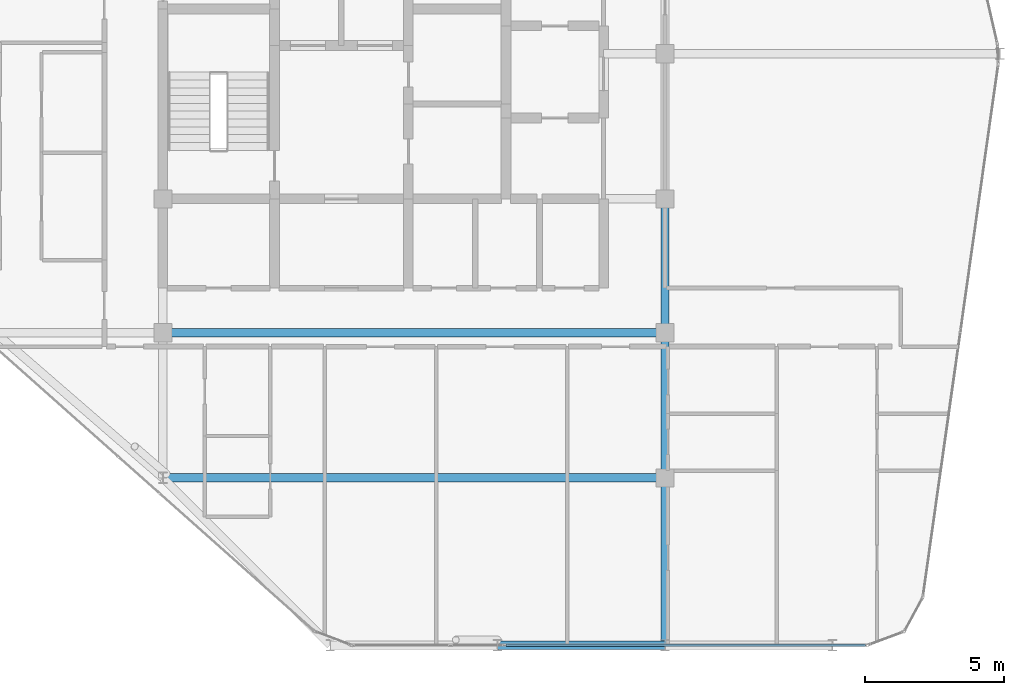
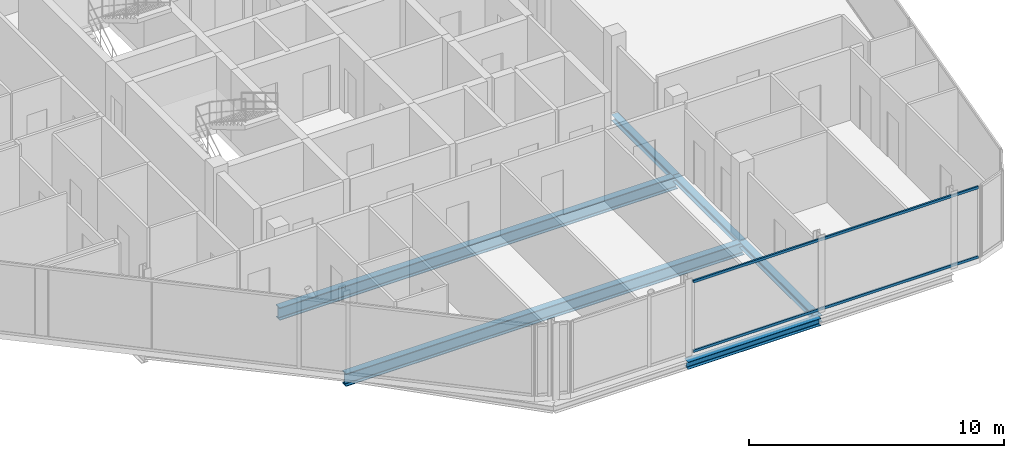
# One storey, part 7 of 27: 6 beams, 2 members, 1 element without a shape of its own.
"""IFC4 building model written with IfcOpenShell, lengths in metres."""

from ifc_helpers import new_model, si_unit, direction, frame, origin, origin_2d, place, context, subcontext, project, spatial, hollow_rectangle, i_section, extrude, material, layer, layer_set, material_profile, profile_set, type_object, element, aggregate, save


model = new_model("IFC4")

# Units and contexts
model_context = context("Model", 3, precision=1e-05, world=origin(), true_north=direction((0.0, 1.0)))
body_context = subcontext(model_context, "Body", "Model", "MODEL_VIEW")
ifc_project = project(units=[si_unit("LENGTHUNIT", "METRE"), si_unit("AREAUNIT", "SQUARE_METRE"), si_unit("VOLUMEUNIT", "CUBIC_METRE"), si_unit("PLANEANGLEUNIT", "RADIAN"), si_unit("MASSUNIT", "GRAM", prefix="KILO")], contexts=[model_context])

# Site, building, storey
site_placement = place(None, origin())
site = spatial("IfcSite", under=ifc_project, at=site_placement, CompositionType="ELEMENT")
building_placement = place(site_placement, origin())
building = spatial("IfcBuilding", under=site, at=building_placement, Name="Keshet Zoharim Tower", CompositionType="ELEMENT")
storey_placement = place(building_placement, frame((0.0, 0.0, 284.300048828125)))
storey = spatial("IfcBuildingStorey", under=building, at=storey_placement, Name="L71", CompositionType="ELEMENT", Elevation=284.300048828125)

# Beams
ifc_material_1 = material(Name="Steel S355", Category="steel")
ifc_material_profile_1 = material_profile(ifc_material_1, i_section(OverallWidth=0.300048828125, OverallDepth=0.60009765625, WebThickness=0.015380859375, FlangeThickness=0.030029296875, FilletRadius=0.027099609375, at=origin_2d()), Name="HEB600")
ifc_profile_set_1 = profile_set([ifc_material_profile_1], Name="Steel S355")
beam_type_1 = type_object("IfcBeamType", Name="BM-LNG-HB600", PredefinedType="BEAM", material=ifc_profile_set_1)
for number, where, z_axis, x_axis, name in (
    (1, (15.0, 12.699951171875, -0.610107421875), (1.0, 0.0, 0.0), (0.0, 1.0, 0.0), "L71 Primary Girder X-004"),
    (2, (15.0, 17.89990234375, -0.610107421875), (1.0, 0.0, 0.0), (0.0, 1.0, 0.0), "L71 Primary Girder X-006"),
):
    element("IfcBeam", number, at=place(storey_placement, frame(where, z_axis=z_axis, x_axis=x_axis)), inside=storey, type_object=beam_type_1, Name=name, PredefinedType="BEAM", context=body_context, shape_type="SweptSolid", body=[
        extrude(i_section(OverallWidth=0.300048828125, OverallDepth=0.60009765625, WebThickness=0.015380859375, FlangeThickness=0.030029296875, FilletRadius=0.027099609375, at=origin_2d()), origin(), (0.0, 0.0, 1.0), 18.0),
    ])
ifc_material_profile_2 = material_profile(ifc_material_1, i_section(OverallWidth=0.300048828125, OverallDepth=0.2900390625, WebThickness=0.008544921875, FlangeThickness=0.013916015625, FilletRadius=0.027099609375, at=origin_2d()), Name="HEA300")
ifc_profile_set_2 = profile_set([ifc_material_profile_2], Name="Steel S355")
beam_type_2 = type_object("IfcBeamType", Name="BM-PRI-HA300", PredefinedType="BEAM", material=ifc_profile_set_2)
beam_1_placement = place(storey_placement, frame((33.0, 6.699951171875, -0.455078125), z_axis=(0.0, 1.0, 0.0), x_axis=(-1.0, 0.0, 0.0)))
element("IfcBeam", 3, at=beam_1_placement, inside=storey, type_object=beam_type_2, Name="L71 Primary Girder Y-004", PredefinedType="BEAM", context=body_context, shape_type="SweptSolid", body=[
    extrude(i_section(OverallWidth=0.300048828125, OverallDepth=0.2900390625, WebThickness=0.008544921875, FlangeThickness=0.013916015625, FilletRadius=0.027099609375, at=origin_2d()), origin(), (0.0, 0.0, 1.0), 6.0),
])
beam_2_placement = place(storey_placement, frame((33.0, 12.699951171875, -0.455078125), z_axis=(0.0, 1.0, 0.0), x_axis=(-1.0, 0.0, 0.0)))
element("IfcBeam", 4, at=beam_2_placement, inside=storey, type_object=beam_type_2, Name="L71 Primary Girder Y-005", PredefinedType="BEAM", context=body_context, shape_type="SweptSolid", body=[
    extrude(i_section(OverallWidth=0.300048828125, OverallDepth=0.2900390625, WebThickness=0.008544921875, FlangeThickness=0.013916015625, FilletRadius=0.027099609375, at=origin_2d()), origin(), (0.0, 0.0, 1.0), 5.199951171875),
])
beam_3_placement = place(storey_placement, frame((33.0, 17.89990234375, -0.455078125), z_axis=(0.0, 1.0, 0.0), x_axis=(-1.0, 0.0, 0.0)))
element("IfcBeam", 5, at=beam_3_placement, inside=storey, type_object=beam_type_2, Name="L71 Primary Girder Y-006", PredefinedType="BEAM", context=body_context, shape_type="SweptSolid", body=[
    extrude(i_section(OverallWidth=0.300048828125, OverallDepth=0.2900390625, WebThickness=0.008544921875, FlangeThickness=0.013916015625, FilletRadius=0.027099609375, at=origin_2d()), origin(), (0.0, 0.0, 1.0), 4.800048828125),
])
ifc_material_profile_3 = material_profile(ifc_material_1, i_section(OverallWidth=0.300048828125, OverallDepth=0.35009765625, WebThickness=0.010009765625, FlangeThickness=0.017578125, FilletRadius=0.027099609375, at=origin_2d()), Name="HEA360")
ifc_profile_set_3 = profile_set([ifc_material_profile_3], Name="Steel S355")
beam_type_3 = type_object("IfcBeamType", Name="BM-PRI-HA360", PredefinedType="BEAM", material=ifc_profile_set_3)
beam_4_placement = place(storey_placement, frame((27.0, 6.699951171875, -0.485107421875), z_axis=(1.0, 0.0, 0.0), x_axis=(0.0, 1.0, 0.0)))
element("IfcBeam", 6, at=beam_4_placement, inside=storey, type_object=beam_type_3, Name="L71 Primary Girder X-002", PredefinedType="BEAM", context=body_context, shape_type="SweptSolid", body=[
    extrude(i_section(OverallWidth=0.300048828125, OverallDepth=0.35009765625, WebThickness=0.010009765625, FlangeThickness=0.017578125, FilletRadius=0.027099609375, at=origin_2d()), origin(), (0.0, 0.0, 1.0), 6.0),
])

# Curtain wall, members
ifc_material_2 = material(Name="Aluminium 6063-T6", Category="aluminium")
ifc_layer = layer(ifc_material_2, 0.260009765625)
ifc_layer_set = layer_set([ifc_layer], Name="Aluminium 6063-T6")
curtain_wall_type = type_object("IfcCurtainWallType", Name="CW-SYS-06", PredefinedType="NOTDEFINED", material=ifc_layer_set)
curtain_wall_placement = place(storey_placement, origin())
curtain_wall = element("IfcCurtainWall", 7, at=curtain_wall_placement, inside=storey, type_object=curtain_wall_type, Name="L71 Unitised Curtain Wall 14", PredefinedType="NOTDEFINED")
ifc_material_profile_4 = material_profile(ifc_material_2, hollow_rectangle(XDim=0.074951171875, YDim=0.1201171875, WallThickness=0.00390625, at=origin_2d()), Name="TRN-75x120")
ifc_profile_set_4 = profile_set([ifc_material_profile_4], Name="Aluminium 6063-T6")
member_type = type_object("IfcMemberType", Name="CWT-T12", PredefinedType="USERDEFINED", material=ifc_profile_set_4)
member_1_placement = place(storey_placement, frame((40.193115234375, 6.699951171875, 0.034912109375), z_axis=(-1.0, 0.0, 0.0), x_axis=(0.0, -1.0, 0.0)))
member_1 = element("IfcMember", 8, at=member_1_placement, type_object=member_type, Name="CW-06 transom 1.1", ObjectType="TRANSOM", PredefinedType="USERDEFINED", context=body_context, shape_type="SweptSolid", body=[
    extrude(hollow_rectangle(XDim=0.074951171875, YDim=0.1201171875, WallThickness=0.00390625, at=origin_2d()), origin(), (0.0, 0.0, 1.0), 12.898193359375),
])
member_2_placement = place(storey_placement, frame((40.193115234375, 6.699951171875, 3.35498046875), z_axis=(-1.0, 0.0, 0.0), x_axis=(0.0, -1.0, 0.0)))
member_2 = element("IfcMember", 9, at=member_2_placement, type_object=member_type, Name="CW-06 transom 1.2", ObjectType="TRANSOM", PredefinedType="USERDEFINED", context=body_context, shape_type="SweptSolid", body=[
    extrude(hollow_rectangle(XDim=0.074951171875, YDim=0.1201171875, WallThickness=0.00390625, at=origin_2d()), origin(), (0.0, 0.0, 1.0), 12.898193359375),
])
aggregate(curtain_wall, [member_1, member_2])

save(model, "model.ifc")
